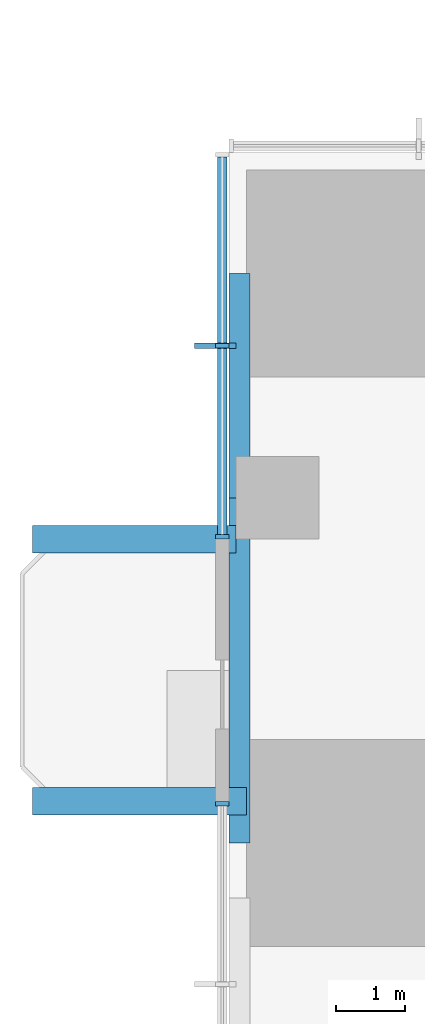
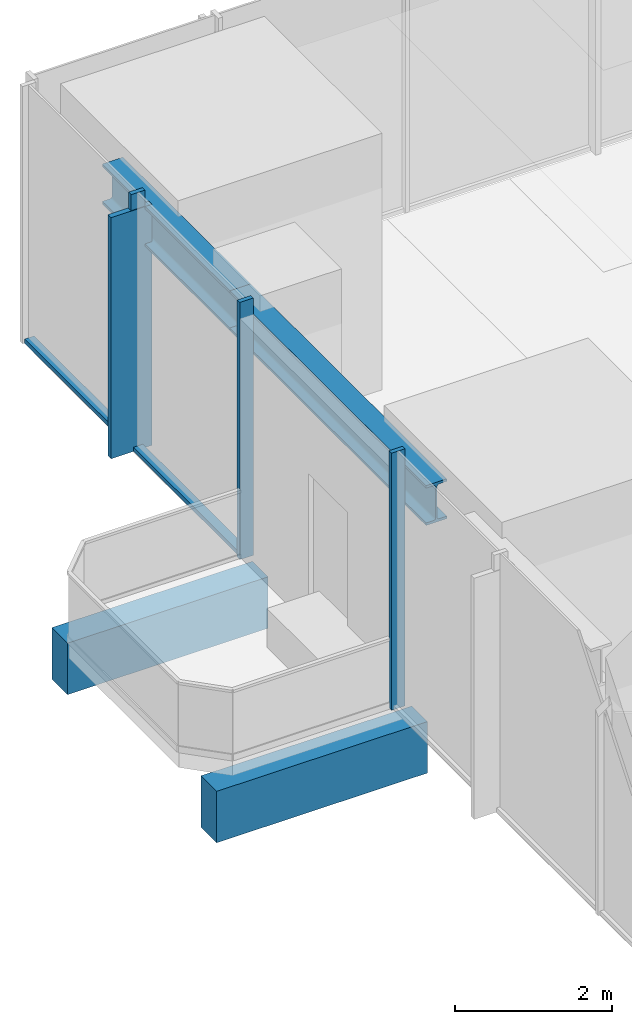
# One storey, part 3 of 13: 6 members, 4 beams, 2 elements without a shape of their own.
"""IFC4 building model written with IfcOpenShell, lengths in metres."""

from ifc_helpers import new_model, si_unit, direction, frame, origin, origin_2d, place, context, subcontext, project, spatial, rectangle, i_section, extrude, material, material_profile, profile_set, type_object, element, aggregate, save


model = new_model("IFC4")

# Units and contexts
model_context = context("Model", 3, precision=1e-05, world=origin(), true_north=direction((0.0, 1.0)))
body_context = subcontext(model_context, "Body", "Model", "MODEL_VIEW")
ifc_project = project(units=[si_unit("LENGTHUNIT", "METRE"), si_unit("AREAUNIT", "SQUARE_METRE"), si_unit("VOLUMEUNIT", "CUBIC_METRE"), si_unit("PLANEANGLEUNIT", "RADIAN"), si_unit("MASSUNIT", "GRAM", prefix="KILO")], contexts=[model_context])

# Site, building, storey
site_placement = place(None, origin())
site = spatial("IfcSite", under=ifc_project, at=site_placement, CompositionType="ELEMENT")
building_placement = place(site_placement, origin())
building = spatial("IfcBuilding", under=site, at=building_placement, Name="Svetlomir Tower", CompositionType="ELEMENT")
storey_placement = place(building_placement, frame((0.0, 0.0, 116.5)))
storey = spatial("IfcBuildingStorey", under=building, at=storey_placement, Name="L27", CompositionType="ELEMENT", Elevation=116.5)

# Beams
ifc_material_1 = material(Name="Concrete C60/75", Category="concrete")
ifc_material_profile_1 = material_profile(ifc_material_1, rectangle(XDim=0.39990234375, YDim=0.800048828125, at=origin_2d()), Name="RC 400x800")
ifc_profile_set_1 = profile_set([ifc_material_profile_1], Name="Concrete C60/75")
beam_type_1 = type_object("IfcBeamType", Name="BALCONY RIB RC 400x800", PredefinedType="BEAM", material=ifc_profile_set_1)
beam_1_placement = place(storey_placement, frame((0.25, 21.60009765625, -0.64990234375), z_axis=(-1.0, 0.0, 0.0), x_axis=(0.0, -1.0, 0.0)))
element("IfcBeam", 1, at=beam_1_placement, inside=storey, type_object=beam_type_1, Name="Balcony rib W 1 L27", PredefinedType="BEAM", context=body_context, shape_type="SweptSolid", body=[
    extrude(rectangle(XDim=0.39990234375, YDim=0.800048828125, at=origin_2d()), origin(), (0.0, 0.0, 1.0), 3.10009765625),
])
beam_2_placement = place(storey_placement, frame((0.10009765625, 25.39990234375, -0.64990234375), z_axis=(-1.0, 0.0, 0.0), x_axis=(0.0, -1.0, 0.0)))
element("IfcBeam", 2, at=beam_2_placement, inside=storey, type_object=beam_type_1, Name="Balcony rib W 2 L27", PredefinedType="BEAM", context=body_context, shape_type="SweptSolid", body=[
    extrude(rectangle(XDim=0.39990234375, YDim=0.800048828125, at=origin_2d()), origin(), (0.0, 0.0, 1.0), 2.9501953125),
])

# Curtain wall, members
ifc_material_2 = material(Name="Bronze anodised aluminium curtain wall", Category="aluminium")
curtain_wall_type = type_object("IfcCurtainWallType", Name="CURTAIN WALL CW1 TOWER OFFICE", PredefinedType="NOTDEFINED", material=ifc_material_2)
curtain_wall_1_placement = place(storey_placement, origin())
curtain_wall_1 = element("IfcCurtainWall", 3, at=curtain_wall_1_placement, inside=storey, type_object=curtain_wall_type, Name="Curtain wall CW1 L27", PredefinedType="NOTDEFINED")
ifc_material_3 = material(Name="Bronze anodised aluminium", Category="aluminium")
ifc_material_profile_2 = material_profile(ifc_material_3, rectangle(XDim=0.080078125, YDim=0.60009765625, at=origin_2d()), Name="FIN 80x600")
ifc_profile_set_2 = profile_set([ifc_material_profile_2], Name="Bronze anodised aluminium 6063-T6")
member_type_1 = type_object("IfcMemberType", Name="BRONZE FIN 80x600", PredefinedType="USERDEFINED", material=ifc_profile_set_2)
member_1_placement = place(storey_placement, frame((-0.199951171875, 28.199951171875, 0.0), z_axis=(0.0, 0.0, 1.0), x_axis=(0.0, 1.0, 0.0)))
member_1 = element("IfcMember", 4, at=member_1_placement, type_object=member_type_1, Name="Bronze fin L27", ObjectType="FIN", PredefinedType="USERDEFINED", context=body_context, shape_type="SweptSolid", body=[
    extrude(rectangle(XDim=0.080078125, YDim=0.60009765625, at=origin_2d()), origin(), (0.0, 0.0, 1.0), 3.75),
])
ifc_material_4 = material(Name="Bronze anodised aluminium", Category="aluminium")
ifc_material_profile_3 = material_profile(ifc_material_4, rectangle(XDim=0.06494140625, YDim=0.199951171875, at=origin_2d()), Name="AL 65x200")
ifc_profile_set_3 = profile_set([ifc_material_profile_3], Name="Bronze anodised aluminium 6063-T6")
member_type_2 = type_object("IfcMemberType", Name="CW1 MULLION 65x200", PredefinedType="MULLION", material=ifc_profile_set_3)
member_2_placement = place(storey_placement, frame((-0.10009765625, 28.199951171875, 0.0), z_axis=(0.0, 0.0, 1.0), x_axis=(0.0, -1.0, 0.0)))
member_2 = element("IfcMember", 5, at=member_2_placement, type_object=member_type_2, Name="CW1 mullion 2", PredefinedType="MULLION", context=body_context, shape_type="SweptSolid", body=[
    extrude(rectangle(XDim=0.06494140625, YDim=0.199951171875, at=origin_2d()), origin(), (0.0, 0.0, 1.0), 4.0),
])
member_3_placement = place(storey_placement, frame((-0.10009765625, 25.4326171875, 0.0), z_axis=(0.0, 0.0, 1.0), x_axis=(0.0, -1.0, 0.0)))
member_3 = element("IfcMember", 6, at=member_3_placement, type_object=member_type_2, Name="CW1 mullion 3", PredefinedType="MULLION", context=body_context, shape_type="SweptSolid", body=[
    extrude(rectangle(XDim=0.06494140625, YDim=0.199951171875, at=origin_2d()), origin(), (0.0, 0.0, 1.0), 4.0),
])

# Curtain wall, member
curtain_wall_2_placement = place(storey_placement, origin())
curtain_wall_2 = element("IfcCurtainWall", 7, at=curtain_wall_2_placement, inside=storey, type_object=curtain_wall_type, Name="Curtain wall CW1 L27", PredefinedType="NOTDEFINED")
member_4_placement = place(storey_placement, frame((-0.10009765625, 21.5673828125, 0.0), z_axis=(0.0, 0.0, 1.0), x_axis=(0.0, -1.0, 0.0)))
member_4 = element("IfcMember", 8, at=member_4_placement, type_object=member_type_2, Name="CW1 mullion 1", PredefinedType="MULLION", context=body_context, shape_type="SweptSolid", body=[
    extrude(rectangle(XDim=0.06494140625, YDim=0.199951171875, at=origin_2d()), origin(), (0.0, 0.0, 1.0), 4.0),
])
aggregate(curtain_wall_2, [member_4])

# Member
ifc_material_5 = material(Name="Bronze anodised aluminium", Category="aluminium")
ifc_material_profile_4 = material_profile(ifc_material_5, rectangle(XDim=0.139892578125, YDim=0.06494140625, at=origin_2d()), Name="AL 140x65")
ifc_profile_set_4 = profile_set([ifc_material_profile_4], Name="Bronze anodised aluminium 6063-T6")
member_type_3 = type_object("IfcMemberType", Name="CW1 TRANSOM 65x140", PredefinedType="USERDEFINED", material=ifc_profile_set_4)
member_5_placement = place(storey_placement, frame((-0.10009765625, 30.93505859375, 0.032470703125), z_axis=(0.0, -1.0, 0.0), x_axis=(1.0, 0.0, 0.0)))
member_5 = element("IfcMember", 9, at=member_5_placement, type_object=member_type_3, Name="CW1 transom 1.1", ObjectType="TRANSOM", PredefinedType="USERDEFINED", context=body_context, shape_type="SweptSolid", body=[
    extrude(rectangle(XDim=0.139892578125, YDim=0.06494140625, at=origin_2d()), origin(), (0.0, 0.0, 1.0), 2.70263671875),
])

member_6_placement = place(storey_placement, frame((-0.10009765625, 28.16748046875, 0.032470703125), z_axis=(0.0, -1.0, 0.0), x_axis=(1.0, 0.0, 0.0)))
member_6 = element("IfcMember", 10, at=member_6_placement, type_object=member_type_3, Name="CW1 transom 2.1", ObjectType="TRANSOM", PredefinedType="USERDEFINED", context=body_context, shape_type="SweptSolid", body=[
    extrude(rectangle(XDim=0.139892578125, YDim=0.06494140625, at=origin_2d()), origin(), (0.0, 0.0, 1.0), 2.702392578125),
])

aggregate(curtain_wall_1, [member_2, member_3, member_5, member_6, member_1])

# Beams
ifc_material_6 = material(Name="Steel S355", Category="steel")
ifc_material_profile_5 = material_profile(ifc_material_6, i_section(OverallWidth=0.304931640625, OverallDepth=0.6201171875, WebThickness=0.02099609375, FlangeThickness=0.0400390625, FilletRadius=0.027099609375, at=origin_2d()), Name="HEM 600")
ifc_profile_set_5 = profile_set([ifc_material_profile_5], Name="Steel S355")
beam_type_2 = type_object("IfcBeamType", Name="EDGE BEAM HEM 600", PredefinedType="SPANDREL", material=ifc_profile_set_5)
beam_3_placement = place(storey_placement, frame((0.152587890625, 21.0, 3.43994140625), z_axis=(0.0, 1.0, 0.0), x_axis=(-1.0, 0.0, 0.0)))
element("IfcBeam", 11, at=beam_3_placement, inside=storey, type_object=beam_type_2, Name="Edge beam 0/21 to 0/26 under L28", PredefinedType="SPANDREL", context=body_context, shape_type="SweptSolid", body=[
    extrude(i_section(OverallWidth=0.304931640625, OverallDepth=0.6201171875, WebThickness=0.02099609375, FlangeThickness=0.0400390625, FilletRadius=0.027099609375, at=origin_2d()), origin(), (0.0, 0.0, 1.0), 5.0),
])
beam_4_placement = place(storey_placement, frame((0.152587890625, 26.0, 3.43994140625), z_axis=(0.0, 1.0, 0.0), x_axis=(-1.0, 0.0, 0.0)))
element("IfcBeam", 12, at=beam_4_placement, inside=storey, type_object=beam_type_2, Name="Edge beam 0/26 to 0/31 under L28", PredefinedType="SPANDREL", context=body_context, shape_type="SweptSolid", body=[
    extrude(i_section(OverallWidth=0.304931640625, OverallDepth=0.6201171875, WebThickness=0.02099609375, FlangeThickness=0.0400390625, FilletRadius=0.027099609375, at=origin_2d()), origin(), (0.0, 0.0, 1.0), 3.25),
])

save(model, "model.ifc")
